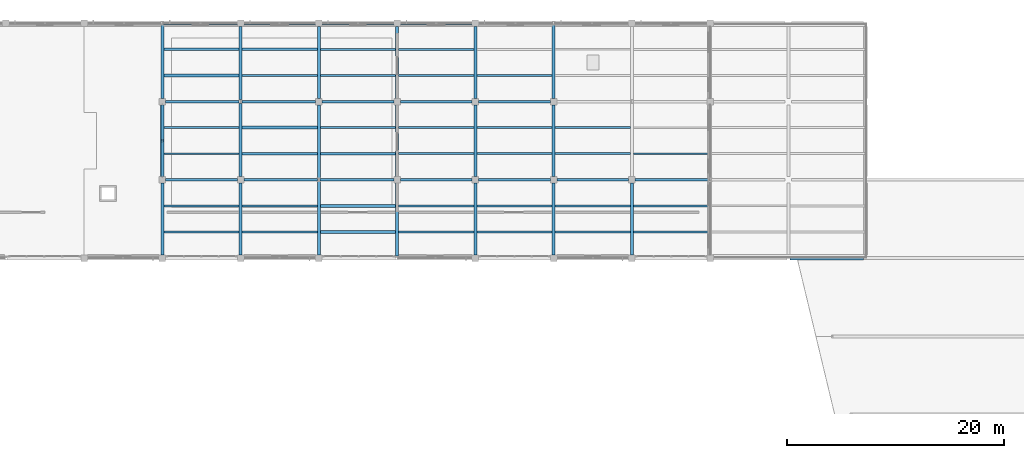
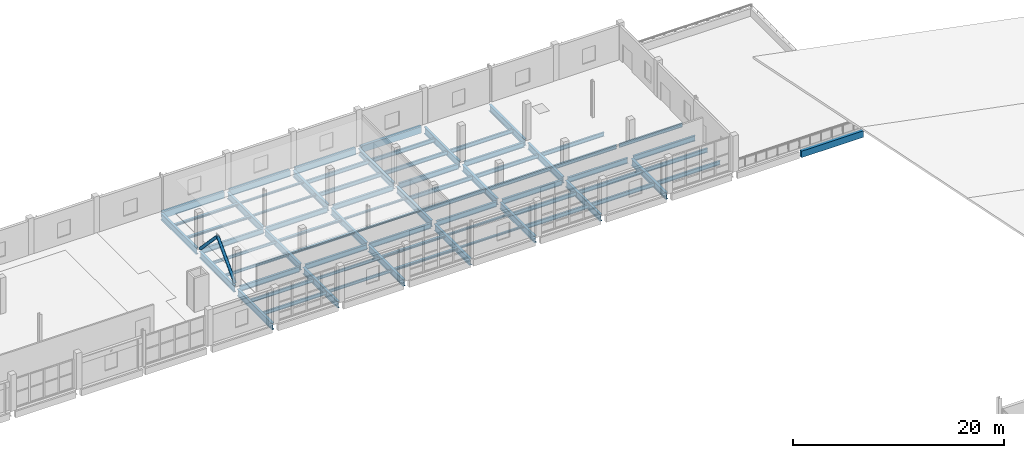
# One storey, part 50 of 94: 72 beams, 2 members.
"""IFC4 building model written with IfcOpenShell, lengths in metres."""

from ifc_helpers import new_model, si_unit, direction, frame, origin, origin_2d, place, context, subcontext, project, spatial, rectangle, hollow_circle, i_section, extrude, material, material_profile, profile_set, type_object, element, save


model = new_model("IFC4")

# Units and contexts
model_context = context("Model", 3, precision=1e-05, world=origin(), true_north=direction((0.0, 1.0)))
body_context = subcontext(model_context, "Body", "Model", "MODEL_VIEW")
ifc_project = project(units=[si_unit("LENGTHUNIT", "METRE"), si_unit("AREAUNIT", "SQUARE_METRE"), si_unit("VOLUMEUNIT", "CUBIC_METRE"), si_unit("PLANEANGLEUNIT", "RADIAN"), si_unit("MASSUNIT", "GRAM", prefix="KILO")], contexts=[model_context])

# Site, building, storey
site_placement = place(None, origin())
site = spatial("IfcSite", under=ifc_project, at=site_placement, CompositionType="ELEMENT")
building_placement = place(site_placement, origin())
building = spatial("IfcBuilding", under=site, at=building_placement, Name="Kalmorath City Hall", CompositionType="ELEMENT")
storey_placement = place(building_placement, frame((0.0, 0.0, 14.699951171875)))
storey = spatial("IfcBuildingStorey", under=building, at=storey_placement, Name="L03", CompositionType="ELEMENT", Elevation=14.699951171875)

# Beams
ifc_material_1 = material(Name="Precast concrete C40/50", Category="concrete")
ifc_material_profile_1 = material_profile(ifc_material_1, rectangle(XDim=0.35009765625, YDim=0.75, at=origin_2d()), Name="PC-SP-350X750")
ifc_profile_set_1 = profile_set([ifc_material_profile_1], Name="Precast concrete C40/50")
beam_type_1 = type_object("IfcBeamType", Name="Precast spandrel lintel 350x750", PredefinedType="LINTEL", material=ifc_profile_set_1)
for number, where, z_axis, x_axis, name in (
    (1, (122.527099609375, 93.60009765625, -0.638916015625), (1.0, 0.0, 0.0), (0.0, 1.0, 0.0), "L03 girder PSB1 X18-19/14"),
    (2, (64.927001953125, 115.199951171875, -0.638916015625), (1.0, 0.0, 0.0), (0.0, 1.0, 0.0), "L03 girder PSB1 X10-11/17"),
):
    element("IfcBeam", number, at=place(storey_placement, frame(where, z_axis=z_axis, x_axis=x_axis)), inside=storey, type_object=beam_type_1, Name=name, PredefinedType="LINTEL", context=body_context, shape_type="SweptSolid", body=[
        extrude(rectangle(XDim=0.35009765625, YDim=0.75, at=origin_2d()), origin(), (0.0, 0.0, 1.0), 6.77294921875),
    ])
beam_1_placement = place(storey_placement, frame((72.300048828125, 115.199951171875, -0.638916015625), z_axis=(1.0, 0.0, 0.0), x_axis=(0.0, 1.0, 0.0)))
element("IfcBeam", 3, at=beam_1_placement, inside=storey, type_object=beam_type_1, Name="L03 girder PSB1 X11-12/17", PredefinedType="LINTEL", context=body_context, shape_type="SweptSolid", body=[
    extrude(rectangle(XDim=0.35009765625, YDim=0.75, at=origin_2d()), origin(), (0.0, 0.0, 1.0), 6.599853515625),
])
for number, where, z_axis, x_axis, name in (
    (4, (79.5, 115.199951171875, -0.638916015625), (1.0, 0.0, 0.0), (0.0, 1.0, 0.0), "L03 girder PSB1 X12-13/17"),
    (5, (86.699951171875, 115.199951171875, -0.638916015625), (1.0, 0.0, 0.0), (0.0, 1.0, 0.0), "L03 girder PSB1 X13-14/17"),
):
    element("IfcBeam", number, at=place(storey_placement, frame(where, z_axis=z_axis, x_axis=x_axis)), inside=storey, type_object=beam_type_1, Name=name, PredefinedType="LINTEL", context=body_context, shape_type="SweptSolid", body=[
        extrude(rectangle(XDim=0.35009765625, YDim=0.75, at=origin_2d()), origin(), (0.0, 0.0, 1.0), 6.60009765625),
    ])
ifc_material_2 = material(Name="Steel ASTM A992 Grade 50", Category="steel")
ifc_material_profile_2 = material_profile(ifc_material_2, i_section(OverallWidth=0.177001953125, OverallDepth=0.403076171875, WebThickness=0.007568359375, FlangeThickness=0.010986328125, FilletRadius=0.012939453125, at=origin_2d()), Name="W16X36")
ifc_profile_set_2 = profile_set([ifc_material_profile_2], Name="Steel ASTM A992 Grade 50")
beam_type_2 = type_object("IfcBeamType", Name="Steel composite joist W16X36", PredefinedType="JOIST", material=ifc_profile_set_2)
for number, where, z_axis, x_axis, name in (
    (6, (64.93408203125, 96.0, -0.46533203125), (1.0, 0.0, 0.0), (0.0, 1.0, 0.0), "L03 joist SJ7 10.14.1"),
    (7, (64.93408203125, 98.39990234375, -0.46533203125), (1.0, 0.0, 0.0), (0.0, 1.0, 0.0), "L03 joist SJ7 10.14.2"),
):
    element("IfcBeam", number, at=place(storey_placement, frame(where, z_axis=z_axis, x_axis=x_axis)), inside=storey, type_object=beam_type_2, Name=name, PredefinedType="JOIST", context=body_context, shape_type="SweptSolid", body=[
        extrude(i_section(OverallWidth=0.177001953125, OverallDepth=0.403076171875, WebThickness=0.007568359375, FlangeThickness=0.010986328125, FilletRadius=0.012939453125, at=origin_2d()), origin(), (0.0, 0.0, 1.0), 6.931884765625),
    ])
ifc_material_3 = material(Name="Steel ASTM A992 Grade 50", Category="steel")
ifc_material_profile_3 = material_profile(ifc_material_3, i_section(OverallWidth=0.153076171875, OverallDepth=0.455078125, WebThickness=0.008056640625, FlangeThickness=0.01318359375, FilletRadius=0.013916015625, at=origin_2d()), Name="W18X40")
ifc_profile_set_3 = profile_set([ifc_material_profile_3], Name="Steel ASTM A992 Grade 50")
beam_type_3 = type_object("IfcBeamType", Name="Steel composite joist W18X40", PredefinedType="JOIST", material=ifc_profile_set_3)
beam_2_placement = place(storey_placement, frame((108.134033203125, 103.199951171875, -0.491455078125), z_axis=(1.0, 0.0, 0.0), x_axis=(0.0, 1.0, 0.0)))
element("IfcBeam", 8, at=beam_2_placement, inside=storey, type_object=beam_type_3, Name="L03 joist SJ4 16.15.1", PredefinedType="JOIST", context=body_context, shape_type="SweptSolid", body=[
    extrude(i_section(OverallWidth=0.153076171875, OverallDepth=0.455078125, WebThickness=0.008056640625, FlangeThickness=0.01318359375, FilletRadius=0.013916015625, at=origin_2d()), origin(), (0.0, 0.0, 1.0), 6.931884765625),
])
ifc_material_4 = material(Name="Steel ASTM A992 Grade 50", Category="steel")
ifc_material_profile_4 = material_profile(ifc_material_4, i_section(OverallWidth=0.19091796875, OverallDepth=0.45703125, WebThickness=0.009033203125, FlangeThickness=0.014404296875, FilletRadius=0.013916015625, at=origin_2d()), Name="W18X50")
ifc_profile_set_4 = profile_set([ifc_material_profile_4], Name="Steel ASTM A992 Grade 50")
beam_type_4 = type_object("IfcBeamType", Name="Steel composite joist W18X50", PredefinedType="JOIST", material=ifc_profile_set_4)
beam_3_placement = place(storey_placement, frame((93.73388671875, 110.39990234375, -0.492431640625), z_axis=(1.0, 0.0, 0.0), x_axis=(0.0, 1.0, 0.0)))
element("IfcBeam", 9, at=beam_3_placement, inside=storey, type_object=beam_type_4, Name="L03 joist SJ3 14.16.1", PredefinedType="JOIST", context=body_context, shape_type="SweptSolid", body=[
    extrude(i_section(OverallWidth=0.19091796875, OverallDepth=0.45703125, WebThickness=0.009033203125, FlangeThickness=0.014404296875, FilletRadius=0.013916015625, at=origin_2d()), origin(), (0.0, 0.0, 1.0), 6.93212890625),
])
for number, where, z_axis, x_axis, name in (
    (10, (100.93408203125, 103.199951171875, -0.492431640625), (1.0, 0.0, 0.0), (0.0, 1.0, 0.0), "L03 joist SJ3 15.15.1"),
    (11, (100.93408203125, 105.60009765625, -0.492431640625), (1.0, 0.0, 0.0), (0.0, 1.0, 0.0), "L03 joist SJ3 15.15.2"),
    (12, (108.134033203125, 96.0, -0.492431640625), (1.0, 0.0, 0.0), (0.0, 1.0, 0.0), "L03 joist SJ3 16.14.1"),
    (13, (108.134033203125, 98.39990234375, -0.492431640625), (1.0, 0.0, 0.0), (0.0, 1.0, 0.0), "L03 joist SJ3 16.14.2"),
):
    element("IfcBeam", number, at=place(storey_placement, frame(where, z_axis=z_axis, x_axis=x_axis)), inside=storey, type_object=beam_type_4, Name=name, PredefinedType="JOIST", context=body_context, shape_type="SweptSolid", body=[
        extrude(i_section(OverallWidth=0.19091796875, OverallDepth=0.45703125, WebThickness=0.009033203125, FlangeThickness=0.014404296875, FilletRadius=0.013916015625, at=origin_2d()), origin(), (0.0, 0.0, 1.0), 6.931884765625),
    ])
ifc_material_5 = material(Name="Steel ASTM A992 Grade 50", Category="steel")
ifc_material_profile_5 = material_profile(ifc_material_5, i_section(OverallWidth=0.19091796875, OverallDepth=0.4599609375, WebThickness=0.010009765625, FlangeThickness=0.01611328125, FilletRadius=0.013916015625, at=origin_2d()), Name="W18X55")
ifc_profile_set_5 = profile_set([ifc_material_profile_5], Name="Steel ASTM A992 Grade 50")
beam_type_5 = type_object("IfcBeamType", Name="Steel composite joist W18X55", PredefinedType="JOIST", material=ifc_profile_set_5)
for number, where, z_axis, x_axis, name in (
    (14, (86.533935546875, 110.39990234375, -0.493896484375), (1.0, 0.0, 0.0), (0.0, 1.0, 0.0), "L03 joist SJ2 13.16.1"),
    (15, (86.533935546875, 112.800048828125, -0.493896484375), (1.0, 0.0, 0.0), (0.0, 1.0, 0.0), "L03 joist SJ2 13.16.2"),
    (16, (93.73388671875, 103.199951171875, -0.493896484375), (1.0, 0.0, 0.0), (0.0, 1.0, 0.0), "L03 joist SJ2 14.15.1"),
    (17, (93.73388671875, 105.60009765625, -0.493896484375), (1.0, 0.0, 0.0), (0.0, 1.0, 0.0), "L03 joist SJ2 14.15.2"),
):
    element("IfcBeam", number, at=place(storey_placement, frame(where, z_axis=z_axis, x_axis=x_axis)), inside=storey, type_object=beam_type_5, Name=name, PredefinedType="JOIST", context=body_context, shape_type="SweptSolid", body=[
        extrude(i_section(OverallWidth=0.19091796875, OverallDepth=0.4599609375, WebThickness=0.010009765625, FlangeThickness=0.01611328125, FilletRadius=0.013916015625, at=origin_2d()), origin(), (0.0, 0.0, 1.0), 6.93212890625),
    ])
for number, where, z_axis, x_axis, name in (
    (18, (100.93408203125, 96.0, -0.493896484375), (1.0, 0.0, 0.0), (0.0, 1.0, 0.0), "L03 joist SJ2 15.14.1"),
    (19, (100.93408203125, 98.39990234375, -0.493896484375), (1.0, 0.0, 0.0), (0.0, 1.0, 0.0), "L03 joist SJ2 15.14.2"),
):
    element("IfcBeam", number, at=place(storey_placement, frame(where, z_axis=z_axis, x_axis=x_axis)), inside=storey, type_object=beam_type_5, Name=name, PredefinedType="JOIST", context=body_context, shape_type="SweptSolid", body=[
        extrude(i_section(OverallWidth=0.19091796875, OverallDepth=0.4599609375, WebThickness=0.010009765625, FlangeThickness=0.01611328125, FilletRadius=0.013916015625, at=origin_2d()), origin(), (0.0, 0.0, 1.0), 6.931884765625),
    ])
ifc_material_6 = material(Name="Steel ASTM A992 Grade 50", Category="steel")
ifc_material_profile_6 = material_profile(ifc_material_6, i_section(OverallWidth=0.193115234375, OverallDepth=0.466064453125, WebThickness=0.011474609375, FlangeThickness=0.01904296875, FilletRadius=0.013916015625, at=origin_2d()), Name="W18X65")
ifc_profile_set_6 = profile_set([ifc_material_profile_6], Name="Steel ASTM A992 Grade 50")
beam_type_6 = type_object("IfcBeamType", Name="Steel composite joist W18X65", PredefinedType="JOIST", material=ifc_profile_set_6)
for number, where, z_axis, x_axis, name in (
    (20, (79.333984375, 110.39990234375, -0.4970703125), (1.0, 0.0, 0.0), (0.0, 1.0, 0.0), "L03 joist SJ1 12.16.1"),
    (21, (79.333984375, 112.800048828125, -0.4970703125), (1.0, 0.0, 0.0), (0.0, 1.0, 0.0), "L03 joist SJ1 12.16.2"),
    (22, (86.533935546875, 103.199951171875, -0.4970703125), (1.0, 0.0, 0.0), (0.0, 1.0, 0.0), "L03 joist SJ1 13.15.1"),
    (23, (86.533935546875, 105.60009765625, -0.4970703125), (1.0, 0.0, 0.0), (0.0, 1.0, 0.0), "L03 joist SJ1 13.15.2"),
    (24, (93.73388671875, 96.0, -0.4970703125), (1.0, 0.0, 0.0), (0.0, 1.0, 0.0), "L03 joist SJ1 14.14.1"),
    (25, (93.73388671875, 98.39990234375, -0.4970703125), (1.0, 0.0, 0.0), (0.0, 1.0, 0.0), "L03 joist SJ1 14.14.2"),
):
    element("IfcBeam", number, at=place(storey_placement, frame(where, z_axis=z_axis, x_axis=x_axis)), inside=storey, type_object=beam_type_6, Name=name, PredefinedType="JOIST", context=body_context, shape_type="SweptSolid", body=[
        extrude(i_section(OverallWidth=0.193115234375, OverallDepth=0.466064453125, WebThickness=0.011474609375, FlangeThickness=0.01904296875, FilletRadius=0.013916015625, at=origin_2d()), origin(), (0.0, 0.0, 1.0), 6.93212890625),
    ])
ifc_material_7 = material(Name="Steel ASTM A992 Grade 50", Category="steel")
ifc_material_profile_7 = material_profile(ifc_material_7, i_section(OverallWidth=0.202880859375, OverallDepth=0.202880859375, WebThickness=0.007080078125, FlangeThickness=0.010986328125, FilletRadius=0.010986328125, at=origin_2d()), Name="W8X31")
ifc_profile_set_7 = profile_set([ifc_material_profile_7], Name="Steel ASTM A992 Grade 50")
beam_type_7 = type_object("IfcBeamType", Name="Steel edge trimmer W8X31", PredefinedType="LINTEL", material=ifc_profile_set_7)
for number, where, z_axis, x_axis, name in (
    (26, (72.134033203125, 110.39990234375, -0.365478515625), (1.0, 0.0, 0.0), (0.0, 1.0, 0.0), "L03 joist SJ16 11.16.1"),
    (27, (72.134033203125, 112.800048828125, -0.365478515625), (1.0, 0.0, 0.0), (0.0, 1.0, 0.0), "L03 joist SJ16 11.16.2"),
):
    element("IfcBeam", number, at=place(storey_placement, frame(where, z_axis=z_axis, x_axis=x_axis)), inside=storey, type_object=beam_type_7, Name=name, PredefinedType="LINTEL", context=body_context, shape_type="SweptSolid", body=[
        extrude(i_section(OverallWidth=0.202880859375, OverallDepth=0.202880859375, WebThickness=0.007080078125, FlangeThickness=0.010986328125, FilletRadius=0.010986328125, at=origin_2d()), origin(), (0.0, 0.0, 1.0), 6.931884765625),
    ])
for number, where, z_axis, x_axis, name in (
    (28, (79.333984375, 103.199951171875, -0.365478515625), (1.0, 0.0, 0.0), (0.0, 1.0, 0.0), "L03 joist SJ16 12.15.1"),
    (29, (79.333984375, 105.60009765625, -0.365478515625), (1.0, 0.0, 0.0), (0.0, 1.0, 0.0), "L03 joist SJ16 12.15.2"),
    (30, (86.533935546875, 96.0, -0.365478515625), (1.0, 0.0, 0.0), (0.0, 1.0, 0.0), "L03 joist SJ16 13.14.1"),
    (31, (86.533935546875, 98.39990234375, -0.365478515625), (1.0, 0.0, 0.0), (0.0, 1.0, 0.0), "L03 joist SJ16 13.14.2"),
):
    element("IfcBeam", number, at=place(storey_placement, frame(where, z_axis=z_axis, x_axis=x_axis)), inside=storey, type_object=beam_type_7, Name=name, PredefinedType="LINTEL", context=body_context, shape_type="SweptSolid", body=[
        extrude(i_section(OverallWidth=0.202880859375, OverallDepth=0.202880859375, WebThickness=0.007080078125, FlangeThickness=0.010986328125, FilletRadius=0.010986328125, at=origin_2d()), origin(), (0.0, 0.0, 1.0), 6.93212890625),
    ])
ifc_material_8 = material(Name="Steel ASTM A992 Grade 50", Category="steel")
ifc_material_profile_8 = material_profile(ifc_material_8, i_section(OverallWidth=0.22802734375, OverallDepth=0.60302734375, WebThickness=0.010498046875, FlangeThickness=0.014892578125, FilletRadius=0.01611328125, at=origin_2d()), Name="W24X68")
ifc_profile_set_8 = profile_set([ifc_material_profile_8], Name="Steel ASTM A992 Grade 50")
beam_type_8 = type_object("IfcBeamType", Name="Steel floor girder W24X68", PredefinedType="BEAM", material=ifc_profile_set_8)
beam_4_placement = place(storey_placement, frame((65.10009765625, 100.800048828125, -0.5654296875), z_axis=(1.0, 0.0, 0.0), x_axis=(0.0, 1.0, 0.0)))
element("IfcBeam", 32, at=beam_4_placement, inside=storey, type_object=beam_type_8, Name="L03 girder SG9 X10-11/15", PredefinedType="BEAM", context=body_context, shape_type="SweptSolid", body=[
    extrude(i_section(OverallWidth=0.22802734375, OverallDepth=0.60302734375, WebThickness=0.010498046875, FlangeThickness=0.014892578125, FilletRadius=0.01611328125, at=origin_2d()), origin(), (0.0, 0.0, 1.0), 6.599853515625),
])
beam_5_placement = place(storey_placement, frame((72.300048828125, 100.800048828125, -0.5654296875), z_axis=(1.0, 0.0, 0.0), x_axis=(0.0, 1.0, 0.0)))
element("IfcBeam", 33, at=beam_5_placement, inside=storey, type_object=beam_type_8, Name="L03 girder SG9 X11-12/15", PredefinedType="BEAM", context=body_context, shape_type="SweptSolid", body=[
    extrude(i_section(OverallWidth=0.22802734375, OverallDepth=0.60302734375, WebThickness=0.010498046875, FlangeThickness=0.014892578125, FilletRadius=0.01611328125, at=origin_2d()), origin(), (0.0, 0.0, 1.0), 6.77294921875),
])
beam_6_placement = place(storey_placement, frame((79.326904296875, 100.800048828125, -0.5654296875), z_axis=(1.0, 0.0, 0.0), x_axis=(0.0, 1.0, 0.0)))
element("IfcBeam", 34, at=beam_6_placement, inside=storey, type_object=beam_type_8, Name="L03 girder SG9 X12-13/15", PredefinedType="BEAM", context=body_context, shape_type="SweptSolid", body=[
    extrude(i_section(OverallWidth=0.22802734375, OverallDepth=0.60302734375, WebThickness=0.010498046875, FlangeThickness=0.014892578125, FilletRadius=0.01611328125, at=origin_2d()), origin(), (0.0, 0.0, 1.0), 6.773193359375),
])
for number, where, z_axis, x_axis, name in (
    (35, (86.699951171875, 100.800048828125, -0.5654296875), (1.0, 0.0, 0.0), (0.0, 1.0, 0.0), "L03 girder SG9 X13-14/15"),
    (36, (93.89990234375, 100.800048828125, -0.5654296875), (1.0, 0.0, 0.0), (0.0, 1.0, 0.0), "L03 girder SG9 X14-15/15"),
):
    element("IfcBeam", number, at=place(storey_placement, frame(where, z_axis=z_axis, x_axis=x_axis)), inside=storey, type_object=beam_type_8, Name=name, PredefinedType="BEAM", context=body_context, shape_type="SweptSolid", body=[
        extrude(i_section(OverallWidth=0.22802734375, OverallDepth=0.60302734375, WebThickness=0.010498046875, FlangeThickness=0.014892578125, FilletRadius=0.01611328125, at=origin_2d()), origin(), (0.0, 0.0, 1.0), 6.60009765625),
    ])
beam_7_placement = place(storey_placement, frame((101.10009765625, 100.800048828125, -0.5654296875), z_axis=(1.0, 0.0, 0.0), x_axis=(0.0, 1.0, 0.0)))
element("IfcBeam", 37, at=beam_7_placement, inside=storey, type_object=beam_type_8, Name="L03 girder SG9 X15-16/15", PredefinedType="BEAM", context=body_context, shape_type="SweptSolid", body=[
    extrude(i_section(OverallWidth=0.22802734375, OverallDepth=0.60302734375, WebThickness=0.010498046875, FlangeThickness=0.014892578125, FilletRadius=0.01611328125, at=origin_2d()), origin(), (0.0, 0.0, 1.0), 6.599853515625),
])
for number, where, z_axis, x_axis, name in (
    (38, (108.300048828125, 100.800048828125, -0.5654296875), (1.0, 0.0, 0.0), (0.0, 1.0, 0.0), "L03 girder SG9 X16-17/15"),
    (39, (65.10009765625, 108.0, -0.5654296875), (1.0, 0.0, 0.0), (0.0, 1.0, 0.0), "L03 girder SG9 X10-11/16"),
    (40, (72.126953125, 108.0, -0.5654296875), (1.0, 0.0, 0.0), (0.0, 1.0, 0.0), "L03 girder SG9 X11-12/16"),
):
    element("IfcBeam", number, at=place(storey_placement, frame(where, z_axis=z_axis, x_axis=x_axis)), inside=storey, type_object=beam_type_8, Name=name, PredefinedType="BEAM", context=body_context, shape_type="SweptSolid", body=[
        extrude(i_section(OverallWidth=0.22802734375, OverallDepth=0.60302734375, WebThickness=0.010498046875, FlangeThickness=0.014892578125, FilletRadius=0.01611328125, at=origin_2d()), origin(), (0.0, 0.0, 1.0), 6.77294921875),
    ])
for number, where, z_axis, x_axis, name in (
    (41, (79.5, 108.0, -0.5654296875), (1.0, 0.0, 0.0), (0.0, 1.0, 0.0), "L03 girder SG9 X12-13/16"),
    (42, (86.699951171875, 108.0, -0.5654296875), (1.0, 0.0, 0.0), (0.0, 1.0, 0.0), "L03 girder SG9 X13-14/16"),
    (43, (93.89990234375, 108.0, -0.5654296875), (1.0, 0.0, 0.0), (0.0, 1.0, 0.0), "L03 girder SG9 X14-15/16"),
):
    element("IfcBeam", number, at=place(storey_placement, frame(where, z_axis=z_axis, x_axis=x_axis)), inside=storey, type_object=beam_type_8, Name=name, PredefinedType="BEAM", context=body_context, shape_type="SweptSolid", body=[
        extrude(i_section(OverallWidth=0.22802734375, OverallDepth=0.60302734375, WebThickness=0.010498046875, FlangeThickness=0.014892578125, FilletRadius=0.01611328125, at=origin_2d()), origin(), (0.0, 0.0, 1.0), 6.60009765625),
    ])
ifc_material_9 = material(Name="Steel ASTM A992 Grade 50", Category="steel")
ifc_material_profile_9 = material_profile(ifc_material_9, i_section(OverallWidth=0.1669921875, OverallDepth=0.318115234375, WebThickness=0.007568359375, FlangeThickness=0.01318359375, FilletRadius=0.012939453125, at=origin_2d()), Name="W12X35")
ifc_profile_set_9 = profile_set([ifc_material_profile_9], Name="Steel ASTM A992 Grade 50")
beam_type_9 = type_object("IfcBeamType", Name="Steel header lintel W12X35", PredefinedType="LINTEL", material=ifc_profile_set_9)
for number, where, z_axis, x_axis, name in (
    (44, (64.93408203125, 103.199951171875, -0.4228515625), (1.0, 0.0, 0.0), (0.0, 1.0, 0.0), "L03 joist SJ13 10.15.1"),
    (45, (64.93408203125, 105.60009765625, -0.4228515625), (1.0, 0.0, 0.0), (0.0, 1.0, 0.0), "L03 joist SJ13 10.15.2"),
    (46, (72.134033203125, 96.0, -0.4228515625), (1.0, 0.0, 0.0), (0.0, 1.0, 0.0), "L03 joist SJ13 11.14.1"),
    (47, (72.134033203125, 98.39990234375, -0.4228515625), (1.0, 0.0, 0.0), (0.0, 1.0, 0.0), "L03 joist SJ13 11.14.2"),
):
    element("IfcBeam", number, at=place(storey_placement, frame(where, z_axis=z_axis, x_axis=x_axis)), inside=storey, type_object=beam_type_9, Name=name, PredefinedType="LINTEL", context=body_context, shape_type="SweptSolid", body=[
        extrude(i_section(OverallWidth=0.1669921875, OverallDepth=0.318115234375, WebThickness=0.007568359375, FlangeThickness=0.01318359375, FilletRadius=0.012939453125, at=origin_2d()), origin(), (0.0, 0.0, 1.0), 6.931884765625),
    ])
ifc_material_10 = material(Name="Steel ASTM A992 Grade 50", Category="steel")
ifc_material_profile_10 = material_profile(ifc_material_10, i_section(OverallWidth=0.26806640625, OverallDepth=0.77001953125, WebThickness=0.015625, FlangeThickness=0.025390625, FilletRadius=0.02001953125, at=origin_2d()), Name="W30X132")
ifc_profile_set_10 = profile_set([ifc_material_profile_10], Name="Steel ASTM A992 Grade 50")
beam_type_10 = type_object("IfcBeamType", Name="Steel primary girder W30X132", PredefinedType="BEAM", material=ifc_profile_set_10)
beam_8_placement = place(storey_placement, frame((64.800048828125, 93.89990234375, -0.64892578125), z_axis=(0.0, 1.0, 0.0), x_axis=(-1.0, 0.0, 0.0)))
element("IfcBeam", 48, at=beam_8_placement, inside=storey, type_object=beam_type_10, Name="L03 girder SG3 Y10/14-15", PredefinedType="BEAM", context=body_context, shape_type="SweptSolid", body=[
    extrude(i_section(OverallWidth=0.26806640625, OverallDepth=0.77001953125, WebThickness=0.015625, FlangeThickness=0.025390625, FilletRadius=0.02001953125, at=origin_2d()), origin(), (0.0, 0.0, 1.0), 6.60009765625),
])
beam_9_placement = place(storey_placement, frame((64.800048828125, 101.10009765625, -0.64892578125), z_axis=(0.0, 1.0, 0.0), x_axis=(-1.0, 0.0, 0.0)))
element("IfcBeam", 49, at=beam_9_placement, inside=storey, type_object=beam_type_10, Name="L03 girder SG3 Y10/15-16", PredefinedType="BEAM", context=body_context, shape_type="SweptSolid", body=[
    extrude(i_section(OverallWidth=0.26806640625, OverallDepth=0.77001953125, WebThickness=0.015625, FlangeThickness=0.025390625, FilletRadius=0.02001953125, at=origin_2d()), origin(), (0.0, 0.0, 1.0), 6.599853515625),
])
beam_10_placement = place(storey_placement, frame((64.800048828125, 108.300048828125, -0.64892578125), z_axis=(0.0, 1.0, 0.0), x_axis=(-1.0, 0.0, 0.0)))
element("IfcBeam", 50, at=beam_10_placement, inside=storey, type_object=beam_type_10, Name="L03 girder SG3 Y10/16-17", PredefinedType="BEAM", context=body_context, shape_type="SweptSolid", body=[
    extrude(i_section(OverallWidth=0.26806640625, OverallDepth=0.77001953125, WebThickness=0.015625, FlangeThickness=0.025390625, FilletRadius=0.02001953125, at=origin_2d()), origin(), (0.0, 0.0, 1.0), 6.723388671875),
])
beam_11_placement = place(storey_placement, frame((72.0, 93.89990234375, -0.64892578125), z_axis=(0.0, 1.0, 0.0), x_axis=(-1.0, 0.0, 0.0)))
element("IfcBeam", 51, at=beam_11_placement, inside=storey, type_object=beam_type_10, Name="L03 girder SG3 Y11/14-15", PredefinedType="BEAM", context=body_context, shape_type="SweptSolid", body=[
    extrude(i_section(OverallWidth=0.26806640625, OverallDepth=0.77001953125, WebThickness=0.015625, FlangeThickness=0.025390625, FilletRadius=0.02001953125, at=origin_2d()), origin(), (0.0, 0.0, 1.0), 6.60009765625),
])
for number, where, z_axis, x_axis, name in (
    (52, (72.0, 101.10009765625, -0.64892578125), (0.0, 1.0, 0.0), (-1.0, 0.0, 0.0), "L03 girder SG3 Y11/15-16"),
    (53, (72.0, 108.176513671875, -0.64892578125), (0.0, 1.0, 0.0), (-1.0, 0.0, 0.0), "L03 girder SG3 Y11/16-17"),
):
    element("IfcBeam", number, at=place(storey_placement, frame(where, z_axis=z_axis, x_axis=x_axis)), inside=storey, type_object=beam_type_10, Name=name, PredefinedType="BEAM", context=body_context, shape_type="SweptSolid", body=[
        extrude(i_section(OverallWidth=0.26806640625, OverallDepth=0.77001953125, WebThickness=0.015625, FlangeThickness=0.025390625, FilletRadius=0.02001953125, at=origin_2d()), origin(), (0.0, 0.0, 1.0), 6.723388671875),
    ])
beam_12_placement = place(storey_placement, frame((79.199951171875, 93.89990234375, -0.64892578125), z_axis=(0.0, 1.0, 0.0), x_axis=(-1.0, 0.0, 0.0)))
element("IfcBeam", 54, at=beam_12_placement, inside=storey, type_object=beam_type_10, Name="L03 girder SG3 Y12/14-15", PredefinedType="BEAM", context=body_context, shape_type="SweptSolid", body=[
    extrude(i_section(OverallWidth=0.26806640625, OverallDepth=0.77001953125, WebThickness=0.015625, FlangeThickness=0.025390625, FilletRadius=0.02001953125, at=origin_2d()), origin(), (0.0, 0.0, 1.0), 6.7236328125),
])
beam_13_placement = place(storey_placement, frame((79.199951171875, 100.9765625, -0.64892578125), z_axis=(0.0, 1.0, 0.0), x_axis=(-1.0, 0.0, 0.0)))
element("IfcBeam", 55, at=beam_13_placement, inside=storey, type_object=beam_type_10, Name="L03 girder SG3 Y12/15-16", PredefinedType="BEAM", context=body_context, shape_type="SweptSolid", body=[
    extrude(i_section(OverallWidth=0.26806640625, OverallDepth=0.77001953125, WebThickness=0.015625, FlangeThickness=0.025390625, FilletRadius=0.02001953125, at=origin_2d()), origin(), (0.0, 0.0, 1.0), 6.723388671875),
])
beam_14_placement = place(storey_placement, frame((79.199951171875, 108.300048828125, -0.64892578125), z_axis=(0.0, 1.0, 0.0), x_axis=(-1.0, 0.0, 0.0)))
element("IfcBeam", 56, at=beam_14_placement, inside=storey, type_object=beam_type_10, Name="L03 girder SG3 Y12/16-17", PredefinedType="BEAM", context=body_context, shape_type="SweptSolid", body=[
    extrude(i_section(OverallWidth=0.26806640625, OverallDepth=0.77001953125, WebThickness=0.015625, FlangeThickness=0.025390625, FilletRadius=0.02001953125, at=origin_2d()), origin(), (0.0, 0.0, 1.0), 6.599853515625),
])
beam_15_placement = place(storey_placement, frame((86.39990234375, 93.776611328125, -0.64892578125), z_axis=(0.0, 1.0, 0.0), x_axis=(-1.0, 0.0, 0.0)))
element("IfcBeam", 57, at=beam_15_placement, inside=storey, type_object=beam_type_10, Name="L03 girder SG3 Y13/14-15", PredefinedType="BEAM", context=body_context, shape_type="SweptSolid", body=[
    extrude(i_section(OverallWidth=0.26806640625, OverallDepth=0.77001953125, WebThickness=0.015625, FlangeThickness=0.025390625, FilletRadius=0.02001953125, at=origin_2d()), origin(), (0.0, 0.0, 1.0), 6.723388671875),
])
for number, where, z_axis, x_axis, name in (
    (58, (86.39990234375, 101.10009765625, -0.64892578125), (0.0, 1.0, 0.0), (-1.0, 0.0, 0.0), "L03 girder SG3 Y13/15-16"),
    (59, (86.39990234375, 108.300048828125, -0.64892578125), (0.0, 1.0, 0.0), (-1.0, 0.0, 0.0), "L03 girder SG3 Y13/16-17"),
):
    element("IfcBeam", number, at=place(storey_placement, frame(where, z_axis=z_axis, x_axis=x_axis)), inside=storey, type_object=beam_type_10, Name=name, PredefinedType="BEAM", context=body_context, shape_type="SweptSolid", body=[
        extrude(i_section(OverallWidth=0.26806640625, OverallDepth=0.77001953125, WebThickness=0.015625, FlangeThickness=0.025390625, FilletRadius=0.02001953125, at=origin_2d()), origin(), (0.0, 0.0, 1.0), 6.599853515625),
    ])
beam_16_placement = place(storey_placement, frame((93.60009765625, 93.89990234375, -0.64892578125), z_axis=(0.0, 1.0, 0.0), x_axis=(-1.0, 0.0, 0.0)))
element("IfcBeam", 60, at=beam_16_placement, inside=storey, type_object=beam_type_10, Name="L03 girder SG3 Y14/14-15", PredefinedType="BEAM", context=body_context, shape_type="SweptSolid", body=[
    extrude(i_section(OverallWidth=0.26806640625, OverallDepth=0.77001953125, WebThickness=0.015625, FlangeThickness=0.025390625, FilletRadius=0.02001953125, at=origin_2d()), origin(), (0.0, 0.0, 1.0), 6.60009765625),
])
for number, where, z_axis, x_axis, name in (
    (61, (93.60009765625, 101.10009765625, -0.64892578125), (0.0, 1.0, 0.0), (-1.0, 0.0, 0.0), "L03 girder SG3 Y14/15-16"),
    (62, (93.60009765625, 108.300048828125, -0.64892578125), (0.0, 1.0, 0.0), (-1.0, 0.0, 0.0), "L03 girder SG3 Y14/16-17"),
):
    element("IfcBeam", number, at=place(storey_placement, frame(where, z_axis=z_axis, x_axis=x_axis)), inside=storey, type_object=beam_type_10, Name=name, PredefinedType="BEAM", context=body_context, shape_type="SweptSolid", body=[
        extrude(i_section(OverallWidth=0.26806640625, OverallDepth=0.77001953125, WebThickness=0.015625, FlangeThickness=0.025390625, FilletRadius=0.02001953125, at=origin_2d()), origin(), (0.0, 0.0, 1.0), 6.599853515625),
    ])
beam_17_placement = place(storey_placement, frame((100.800048828125, 93.89990234375, -0.64892578125), z_axis=(0.0, 1.0, 0.0), x_axis=(-1.0, 0.0, 0.0)))
element("IfcBeam", 63, at=beam_17_placement, inside=storey, type_object=beam_type_10, Name="L03 girder SG3 Y15/14-15", PredefinedType="BEAM", context=body_context, shape_type="SweptSolid", body=[
    extrude(i_section(OverallWidth=0.26806640625, OverallDepth=0.77001953125, WebThickness=0.015625, FlangeThickness=0.025390625, FilletRadius=0.02001953125, at=origin_2d()), origin(), (0.0, 0.0, 1.0), 6.60009765625),
])
beam_18_placement = place(storey_placement, frame((100.800048828125, 101.10009765625, -0.64892578125), z_axis=(0.0, 1.0, 0.0), x_axis=(-1.0, 0.0, 0.0)))
element("IfcBeam", 64, at=beam_18_placement, inside=storey, type_object=beam_type_10, Name="L03 girder SG3 Y15/15-16", PredefinedType="BEAM", context=body_context, shape_type="SweptSolid", body=[
    extrude(i_section(OverallWidth=0.26806640625, OverallDepth=0.77001953125, WebThickness=0.015625, FlangeThickness=0.025390625, FilletRadius=0.02001953125, at=origin_2d()), origin(), (0.0, 0.0, 1.0), 6.599853515625),
])
beam_19_placement = place(storey_placement, frame((100.800048828125, 108.300048828125, -0.64892578125), z_axis=(0.0, 1.0, 0.0), x_axis=(-1.0, 0.0, 0.0)))
element("IfcBeam", 65, at=beam_19_placement, inside=storey, type_object=beam_type_10, Name="L03 girder SG3 Y15/16-17", PredefinedType="BEAM", context=body_context, shape_type="SweptSolid", body=[
    extrude(i_section(OverallWidth=0.26806640625, OverallDepth=0.77001953125, WebThickness=0.015625, FlangeThickness=0.025390625, FilletRadius=0.02001953125, at=origin_2d()), origin(), (0.0, 0.0, 1.0), 6.723388671875),
])
beam_20_placement = place(storey_placement, frame((108.0, 93.89990234375, -0.64892578125), z_axis=(0.0, 1.0, 0.0), x_axis=(-1.0, 0.0, 0.0)))
element("IfcBeam", 66, at=beam_20_placement, inside=storey, type_object=beam_type_10, Name="L03 girder SG3 Y16/14-15", PredefinedType="BEAM", context=body_context, shape_type="SweptSolid", body=[
    extrude(i_section(OverallWidth=0.26806640625, OverallDepth=0.77001953125, WebThickness=0.015625, FlangeThickness=0.025390625, FilletRadius=0.02001953125, at=origin_2d()), origin(), (0.0, 0.0, 1.0), 6.60009765625),
])
ifc_material_11 = material(Name="Steel ASTM A992 Grade 50", Category="steel")
ifc_material_profile_11 = material_profile(ifc_material_11, i_section(OverallWidth=0.25390625, OverallDepth=0.2529296875, WebThickness=0.008544921875, FlangeThickness=0.01416015625, FilletRadius=0.011962890625, at=origin_2d()), Name="W10X49")
ifc_profile_set_11 = profile_set([ifc_material_profile_11], Name="Steel ASTM A992 Grade 50")
beam_type_11 = type_object("IfcBeamType", Name="Steel trimmer beam W10X49", PredefinedType="BEAM", material=ifc_profile_set_11)
for number, where, z_axis, x_axis, name in (
    (67, (64.93408203125, 110.39990234375, -0.390380859375), (1.0, 0.0, 0.0), (0.0, 1.0, 0.0), "L03 joist SJ14 10.16.1"),
    (68, (64.93408203125, 112.800048828125, -0.390380859375), (1.0, 0.0, 0.0), (0.0, 1.0, 0.0), "L03 joist SJ14 10.16.2"),
    (69, (72.134033203125, 103.199951171875, -0.390380859375), (1.0, 0.0, 0.0), (0.0, 1.0, 0.0), "L03 joist SJ14 11.15.1"),
    (70, (72.134033203125, 105.60009765625, -0.390380859375), (1.0, 0.0, 0.0), (0.0, 1.0, 0.0), "L03 joist SJ14 11.15.2"),
):
    element("IfcBeam", number, at=place(storey_placement, frame(where, z_axis=z_axis, x_axis=x_axis)), inside=storey, type_object=beam_type_11, Name=name, PredefinedType="BEAM", context=body_context, shape_type="SweptSolid", body=[
        extrude(i_section(OverallWidth=0.25390625, OverallDepth=0.2529296875, WebThickness=0.008544921875, FlangeThickness=0.01416015625, FilletRadius=0.011962890625, at=origin_2d()), origin(), (0.0, 0.0, 1.0), 6.931884765625),
    ])
for number, where, z_axis, x_axis, name in (
    (71, (79.333984375, 96.0, -0.390380859375), (1.0, 0.0, 0.0), (0.0, 1.0, 0.0), "L03 joist SJ14 12.14.1"),
    (72, (79.333984375, 98.39990234375, -0.390380859375), (1.0, 0.0, 0.0), (0.0, 1.0, 0.0), "L03 joist SJ14 12.14.2"),
):
    element("IfcBeam", number, at=place(storey_placement, frame(where, z_axis=z_axis, x_axis=x_axis)), inside=storey, type_object=beam_type_11, Name=name, PredefinedType="BEAM", context=body_context, shape_type="SweptSolid", body=[
        extrude(i_section(OverallWidth=0.25390625, OverallDepth=0.2529296875, WebThickness=0.008544921875, FlangeThickness=0.01416015625, FilletRadius=0.011962890625, at=origin_2d()), origin(), (0.0, 0.0, 1.0), 6.93212890625),
    ])

# Members
ifc_material_12 = material(Name="Steel ASTM A500 Grade C", Category="steel")
ifc_material_profile_12 = material_profile(ifc_material_12, hollow_circle(Radius=0.162109375, WallThickness=0.01171875, at=origin_2d()), Name="HSS324X12.7")
ifc_profile_set_12 = profile_set([ifc_material_profile_12], Name="Steel ASTM A500 Grade C")
member_type = type_object("IfcMemberType", Name="Steel tubular strut HSS324X12.7", PredefinedType="BRACE", material=ifc_profile_set_12)
member_1_placement = place(storey_placement, frame((64.800048828125, 101.10009765625, 0.0), z_axis=(0.0, 0.691206390081, 0.722657405906), x_axis=(-1.0, 0.0, 0.0)))
element("IfcMember", 73, at=member_1_placement, inside=storey, type_object=member_type, Name="L03 chevron brace BR5 4A", PredefinedType="BRACE", context=body_context, shape_type="SweptSolid", body=[
    extrude(hollow_circle(Radius=0.162109375, WallThickness=0.01171875, at=origin_2d()), origin(), (0.0, 0.0, 1.0), 4.77392578125),
])
member_2_placement = place(storey_placement, frame((64.800048828125, 107.699951171875, 0.0), z_axis=(0.0, -0.691233095626, 0.722631861677), x_axis=(1.0, 0.0, 0.0)))
element("IfcMember", 74, at=member_2_placement, inside=storey, type_object=member_type, Name="L03 chevron brace BR5 4B", PredefinedType="BRACE", context=body_context, shape_type="SweptSolid", body=[
    extrude(hollow_circle(Radius=0.162109375, WallThickness=0.01171875, at=origin_2d()), origin(), (0.0, 0.0, 1.0), 4.774169921875),
])

save(model, "model.ifc")
